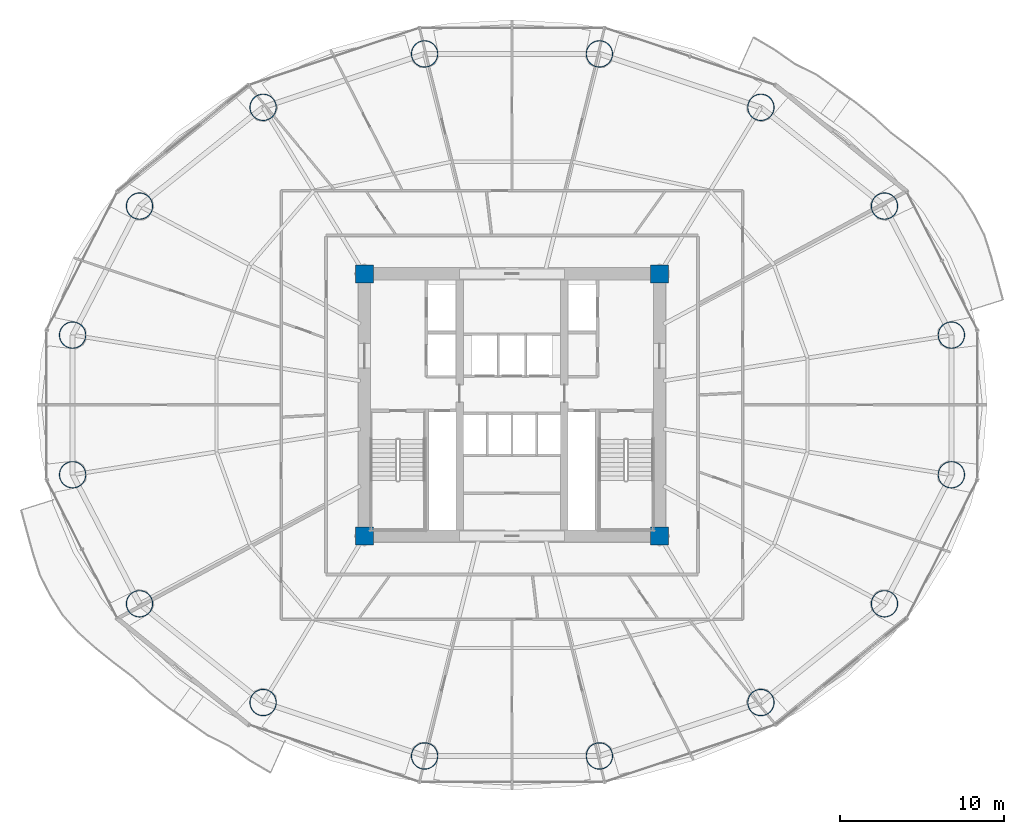
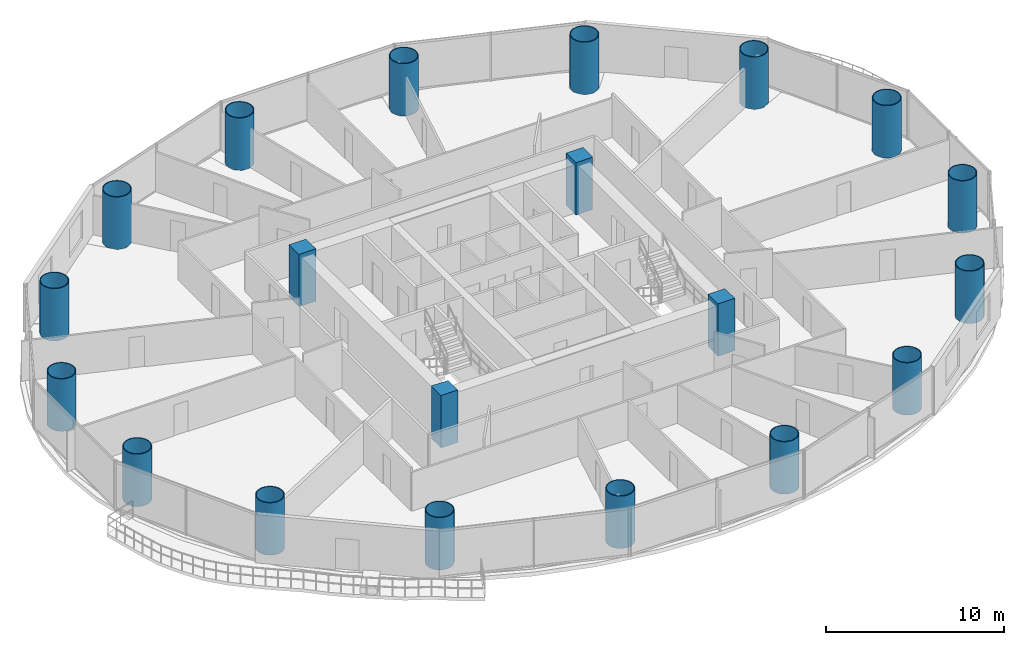
# One storey, part 1 of 30: 20 columns.
"""IFC4 building model written with IfcOpenShell, lengths in metres."""

from ifc_helpers import new_model, si_unit, direction, frame, origin, origin_2d, place, context, subcontext, project, spatial, rectangle, hollow_circle, extrude, material, material_profile, profile_set, type_object, element, save


model = new_model("IFC4")

# Units and contexts
model_context = context("Model", 3, precision=1e-05, world=origin(), true_north=direction((-0.2419218956, 0.970295726276)))
body_context = subcontext(model_context, "Body", "Model", "MODEL_VIEW")
ifc_project = project(units=[si_unit("LENGTHUNIT", "METRE"), si_unit("AREAUNIT", "SQUARE_METRE"), si_unit("VOLUMEUNIT", "CUBIC_METRE"), si_unit("PLANEANGLEUNIT", "RADIAN"), si_unit("MASSUNIT", "GRAM", prefix="KILO")], contexts=[model_context])

# Site, building, storey
site_placement = place(None, origin())
site = spatial("IfcSite", under=ifc_project, at=site_placement, CompositionType="ELEMENT")
building_placement = place(site_placement, origin())
building = spatial("IfcBuilding", under=site, at=building_placement, Name="Cobrevalo Terracotta Tower", CompositionType="ELEMENT")
storey_placement = place(building_placement, frame((0.0, 0.0, 60.0)))
storey = spatial("IfcBuildingStorey", under=building, at=storey_placement, Name="L15", CompositionType="ELEMENT", Elevation=60.0)

# Columns
ifc_material_1 = material(Name="Steel S355", Category="steel")
ifc_material_profile_1 = material_profile(ifc_material_1, hollow_circle(Radius=0.824951171875, WallThickness=0.050048828125, at=origin_2d()), Name="CHS 1650x50")
ifc_profile_set_1 = profile_set([ifc_material_profile_1], Name="Steel S355")
column_type_1 = type_object("IfcColumnType", Name="Structural Column CHS 1650x50 (Steel S355)", PredefinedType="COLUMN", material=ifc_profile_set_1)
for number, where, z_axis, x_axis, name in (
    (1, (64.824462890625, 31.062744140625, 0.0), (0.0, 0.0, 1.0), (1.0, 0.0, 0.0), "L15 composite megacolumn MC01"),
    (2, (60.74072265625, 38.939208984375, 0.0), (0.0, 0.0, 1.0), (1.0, 0.0, 0.0), "L15 composite megacolumn MC02"),
    (3, (53.19482421875, 44.967529296875, 0.0), (0.0, 0.0, 1.0), (1.0, 0.0, 0.0), "L15 composite megacolumn MC03"),
    (4, (43.335693359375, 48.230224609375, 0.0), (0.0, 0.0, 1.0), (1.0, 0.0, 0.0), "L15 composite megacolumn MC04"),
    (5, (32.664306640625, 48.230224609375, 0.0), (0.0, 0.0, 1.0), (1.0, 0.0, 0.0), "L15 composite megacolumn MC05"),
    (6, (22.80517578125, 44.967529296875, 0.0), (0.0, 0.0, 1.0), (1.0, 0.0, 0.0), "L15 composite megacolumn MC06"),
    (7, (15.25927734375, 38.939208984375, 0.0), (0.0, 0.0, 1.0), (1.0, 0.0, 0.0), "L15 composite megacolumn MC07"),
    (8, (11.175537109375, 31.062744140625, 0.0), (0.0, 0.0, 1.0), (1.0, 0.0, 0.0), "L15 composite megacolumn MC08"),
    (9, (11.175537109375, 22.537353515625, 0.0), (0.0, 0.0, 1.0), (1.0, 0.0, 0.0), "L15 composite megacolumn MC09"),
    (10, (15.25927734375, 14.660888671875, 0.0), (0.0, 0.0, 1.0), (1.0, 0.0, 0.0), "L15 composite megacolumn MC10"),
    (11, (22.80517578125, 8.63232421875, 0.0), (0.0, 0.0, 1.0), (1.0, 0.0, 0.0), "L15 composite megacolumn MC11"),
    (12, (32.664306640625, 5.369873046875, 0.0), (0.0, 0.0, 1.0), (1.0, 0.0, 0.0), "L15 composite megacolumn MC12"),
    (13, (43.335693359375, 5.369873046875, 0.0), (0.0, 0.0, 1.0), (1.0, 0.0, 0.0), "L15 composite megacolumn MC13"),
    (14, (53.19482421875, 8.63232421875, 0.0), (0.0, 0.0, 1.0), (1.0, 0.0, 0.0), "L15 composite megacolumn MC14"),
    (15, (60.74072265625, 14.660888671875, 0.0), (0.0, 0.0, 1.0), (1.0, 0.0, 0.0), "L15 composite megacolumn MC15"),
    (16, (64.824462890625, 22.537353515625, 0.0), (0.0, 0.0, 1.0), (1.0, 0.0, 0.0), "L15 composite megacolumn MC16"),
):
    element("IfcColumn", number, at=place(storey_placement, frame(where, z_axis=z_axis, x_axis=x_axis)), inside=storey, type_object=column_type_1, Name=name, PredefinedType="COLUMN", context=body_context, shape_type="SweptSolid", body=[
        extrude(hollow_circle(Radius=0.824951171875, WallThickness=0.050048828125, at=origin_2d()), origin(), (0.0, 0.0, 1.0), 3.60009765625),
    ])
ifc_material_2 = material(Name="Concrete C60", Category="concrete")
ifc_material_profile_2 = material_profile(ifc_material_2, rectangle(XDim=1.10009765625, YDim=1.10009765625, at=origin_2d()), Name="RC COL 1100x1100")
ifc_profile_set_2 = profile_set([ifc_material_profile_2], Name="Concrete C60")
column_type_2 = type_object("IfcColumnType", Name="Structural Column RC COL 1100x1100 (Concrete C60)", PredefinedType="COLUMN", material=ifc_profile_set_2)
for number, where, z_axis, x_axis, name in (
    (17, (29.0, 18.800048828125, 0.0), (0.0, 0.0, 1.0), (1.0, 0.0, 0.0), "L15 core corner column CC1"),
    (18, (47.0, 18.800048828125, 0.0), (0.0, 0.0, 1.0), (1.0, 0.0, 0.0), "L15 core corner column CC2"),
    (19, (47.0, 34.800048828125, 0.0), (0.0, 0.0, 1.0), (1.0, 0.0, 0.0), "L15 core corner column CC3"),
    (20, (29.0, 34.800048828125, 0.0), (0.0, 0.0, 1.0), (1.0, 0.0, 0.0), "L15 core corner column CC4"),
):
    element("IfcColumn", number, at=place(storey_placement, frame(where, z_axis=z_axis, x_axis=x_axis)), inside=storey, type_object=column_type_2, Name=name, PredefinedType="COLUMN", context=body_context, shape_type="SweptSolid", body=[
        extrude(rectangle(XDim=1.10009765625, YDim=1.10009765625, at=origin_2d()), origin(), (0.0, 0.0, 1.0), 3.60009765625),
    ])

save(model, "model.ifc")
